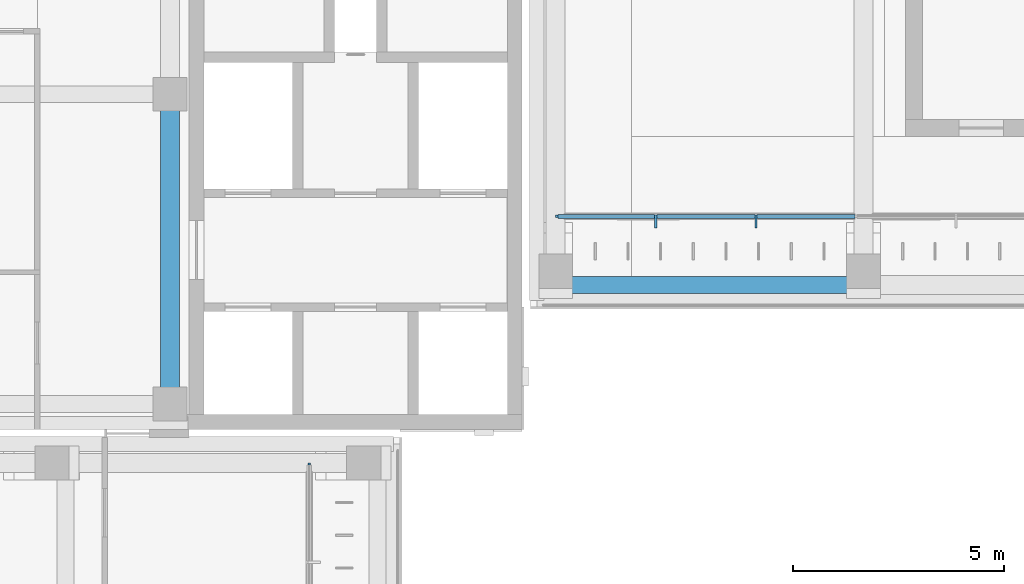
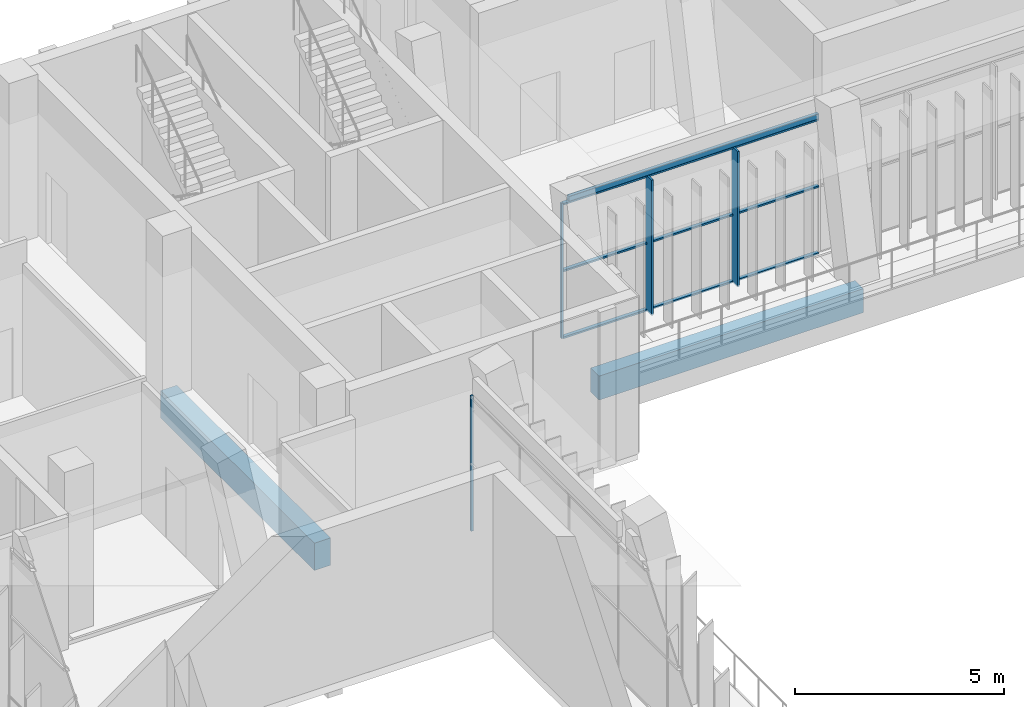
# One storey, part 30 of 89: 13 members, 3 beams, 2 elements without a shape of their own.
"""IFC4 building model written with IfcOpenShell, lengths in metres."""

from ifc_helpers import new_model, si_unit, direction, frame, origin, origin_2d, place, context, subcontext, project, spatial, rectangle, hollow_rectangle, extrude, material, material_profile, profile_set, type_object, element, aggregate, save


model = new_model("IFC4")

# Units and contexts
model_context = context("Model", 3, precision=1e-05, world=origin(), true_north=direction((0.0, 1.0)))
body_context = subcontext(model_context, "Body", "Model", "MODEL_VIEW")
ifc_project = project(units=[si_unit("LENGTHUNIT", "METRE"), si_unit("AREAUNIT", "SQUARE_METRE"), si_unit("VOLUMEUNIT", "CUBIC_METRE"), si_unit("PLANEANGLEUNIT", "RADIAN"), si_unit("MASSUNIT", "GRAM", prefix="KILO")], contexts=[model_context])

# Site, building, storey
site_placement = place(None, origin())
site = spatial("IfcSite", under=ifc_project, at=site_placement, CompositionType="ELEMENT")
building_placement = place(site_placement, origin())
building = spatial("IfcBuilding", under=site, at=building_placement, Name="Lantern Court Media Centre", CompositionType="ELEMENT")
storey_placement = place(building_placement, frame((0.0, 0.0, 14.39990234375)))
storey = spatial("IfcBuildingStorey", under=building, at=storey_placement, Name="L03", CompositionType="ELEMENT", Elevation=14.39990234375)

# Curtain wall, members
ifc_material_1 = material(Name="Curtain wall bay 2400")
curtain_wall_type = type_object("IfcCurtainWallType", Name="Curtain wall bay 2400", PredefinedType="NOTDEFINED", material=ifc_material_1)
curtain_wall_1_placement = place(storey_placement, origin())
curtain_wall_1 = element("IfcCurtainWall", 1, at=curtain_wall_1_placement, inside=storey, type_object=curtain_wall_type, Name="Curtain wall N inner L03", PredefinedType="NOTDEFINED")
ifc_material_2 = material(Name="Anodised aluminium", Category="aluminium")
ifc_material_profile_1 = material_profile(ifc_material_2, rectangle(XDim=0.300048828125, YDim=0.050048828125, at=origin_2d()), Name="AL 50x300")
ifc_profile_set_1 = profile_set([ifc_material_profile_1], Name="Anodised aluminium")
member_type_1 = type_object("IfcMemberType", Name="Curtain wall mullion 50x300", PredefinedType="MULLION", material=ifc_profile_set_1)
member_1_placement = place(storey_placement, frame((27.073974609375, 101.030029296875, 0.0), z_axis=(0.0, 0.0, 1.0), x_axis=(0.0, 1.0, 0.0)))
member_1 = element("IfcMember", 2, at=member_1_placement, type_object=member_type_1, Name="CW2 mullion 2", PredefinedType="MULLION", context=body_context, shape_type="SweptSolid", body=[
    extrude(rectangle(XDim=0.300048828125, YDim=0.050048828125, at=origin_2d()), origin(), (0.0, 0.0, 1.0), 3.9501953125),
])
member_2_placement = place(storey_placement, frame((29.44775390625, 101.030029296875, 0.0), z_axis=(0.0, 0.0, 1.0), x_axis=(0.0, 1.0, 0.0)))
member_2 = element("IfcMember", 3, at=member_2_placement, type_object=member_type_1, Name="CW2 mullion 3", PredefinedType="MULLION", context=body_context, shape_type="SweptSolid", body=[
    extrude(rectangle(XDim=0.300048828125, YDim=0.050048828125, at=origin_2d()), origin(), (0.0, 0.0, 1.0), 3.9501953125),
])
ifc_material_profile_2 = material_profile(ifc_material_2, rectangle(XDim=0.06005859375, YDim=0.050048828125, at=origin_2d()), Name="AL 50x60")
ifc_profile_set_2 = profile_set([ifc_material_profile_2], Name="Anodised aluminium")
member_type_2 = type_object("IfcMemberType", Name="Curtain wall mullion 50x60", PredefinedType="MULLION", material=ifc_profile_set_2)
member_3_placement = place(storey_placement, frame((24.72509765625, 101.14990234375, 0.0), z_axis=(0.0, 0.0, 1.0), x_axis=(0.0, 1.0, 0.0)))
member_3 = element("IfcMember", 4, at=member_3_placement, type_object=member_type_2, Name="CW2 mullion 1", PredefinedType="MULLION", context=body_context, shape_type="SweptSolid", body=[
    extrude(rectangle(XDim=0.06005859375, YDim=0.050048828125, at=origin_2d()), origin(), (0.0, 0.0, 1.0), 3.9501953125),
])

# Curtain wall, member
curtain_wall_2_placement = place(storey_placement, origin())
curtain_wall_2 = element("IfcCurtainWall", 5, at=curtain_wall_2_placement, inside=storey, type_object=curtain_wall_type, Name="Curtain wall W inner L03", PredefinedType="NOTDEFINED")
member_4_placement = place(storey_placement, frame((18.85009765625, 95.27490234375, 0.0), z_axis=(0.0, 0.0, 1.0), x_axis=(-1.0, 0.0, 0.0)))
member_4 = element("IfcMember", 6, at=member_4_placement, type_object=member_type_2, Name="CW2 mullion 14", PredefinedType="MULLION", context=body_context, shape_type="SweptSolid", body=[
    extrude(rectangle(XDim=0.06005859375, YDim=0.050048828125, at=origin_2d()), origin(), (0.0, 0.0, 1.0), 3.9501953125),
])
aggregate(curtain_wall_2, [member_4])

# Member
ifc_material_profile_3 = material_profile(ifc_material_2, rectangle(XDim=0.10009765625, YDim=0.050048828125, at=origin_2d()), Name="AL 50x100")
ifc_profile_set_3 = profile_set([ifc_material_profile_3], Name="Anodised aluminium")
member_type_3 = type_object("IfcMemberType", Name="Curtain wall transom 100x50", PredefinedType="USERDEFINED", material=ifc_profile_set_3)
member_5_placement = place(storey_placement, frame((24.75, 101.14990234375, 0.025146484375), z_axis=(1.0, 0.0, 0.0), x_axis=(0.0, 1.0, 0.0)))
member_5 = element("IfcMember", 7, at=member_5_placement, type_object=member_type_3, Name="CW2 transom 1.1", ObjectType="TRANSOM", PredefinedType="USERDEFINED", context=body_context, shape_type="SweptSolid", body=[
    extrude(rectangle(XDim=0.10009765625, YDim=0.050048828125, at=origin_2d()), origin(), (0.0, 0.0, 1.0), 2.298828125),
])

member_6_placement = place(storey_placement, frame((24.75, 101.14990234375, 1.97509765625), z_axis=(1.0, 0.0, 0.0), x_axis=(0.0, 1.0, 0.0)))
member_6 = element("IfcMember", 8, at=member_6_placement, type_object=member_type_3, Name="CW2 transom 1.2", ObjectType="TRANSOM", PredefinedType="USERDEFINED", context=body_context, shape_type="SweptSolid", body=[
    extrude(rectangle(XDim=0.10009765625, YDim=0.050048828125, at=origin_2d()), origin(), (0.0, 0.0, 1.0), 2.298828125),
])

member_7_placement = place(storey_placement, frame((24.75, 101.14990234375, 3.925048828125), z_axis=(1.0, 0.0, 0.0), x_axis=(0.0, 1.0, 0.0)))
member_7 = element("IfcMember", 9, at=member_7_placement, type_object=member_type_3, Name="CW2 transom 1.3", ObjectType="TRANSOM", PredefinedType="USERDEFINED", context=body_context, shape_type="SweptSolid", body=[
    extrude(rectangle(XDim=0.10009765625, YDim=0.050048828125, at=origin_2d()), origin(), (0.0, 0.0, 1.0), 2.298828125),
])

member_8_placement = place(storey_placement, frame((27.098876953125, 101.14990234375, 0.025146484375), z_axis=(1.0, 0.0, 0.0), x_axis=(0.0, 1.0, 0.0)))
member_8 = element("IfcMember", 10, at=member_8_placement, type_object=member_type_3, Name="CW2 transom 2.1", ObjectType="TRANSOM", PredefinedType="USERDEFINED", context=body_context, shape_type="SweptSolid", body=[
    extrude(rectangle(XDim=0.10009765625, YDim=0.050048828125, at=origin_2d()), origin(), (0.0, 0.0, 1.0), 2.323974609375),
])

member_9_placement = place(storey_placement, frame((27.098876953125, 101.14990234375, 1.97509765625), z_axis=(1.0, 0.0, 0.0), x_axis=(0.0, 1.0, 0.0)))
member_9 = element("IfcMember", 11, at=member_9_placement, type_object=member_type_3, Name="CW2 transom 2.2", ObjectType="TRANSOM", PredefinedType="USERDEFINED", context=body_context, shape_type="SweptSolid", body=[
    extrude(rectangle(XDim=0.10009765625, YDim=0.050048828125, at=origin_2d()), origin(), (0.0, 0.0, 1.0), 2.323974609375),
])

member_10_placement = place(storey_placement, frame((27.098876953125, 101.14990234375, 3.925048828125), z_axis=(1.0, 0.0, 0.0), x_axis=(0.0, 1.0, 0.0)))
member_10 = element("IfcMember", 12, at=member_10_placement, type_object=member_type_3, Name="CW2 transom 2.3", ObjectType="TRANSOM", PredefinedType="USERDEFINED", context=body_context, shape_type="SweptSolid", body=[
    extrude(rectangle(XDim=0.10009765625, YDim=0.050048828125, at=origin_2d()), origin(), (0.0, 0.0, 1.0), 2.323974609375),
])

member_11_placement = place(storey_placement, frame((29.472900390625, 101.14990234375, 0.025146484375), z_axis=(1.0, 0.0, 0.0), x_axis=(0.0, 1.0, 0.0)))
member_11 = element("IfcMember", 13, at=member_11_placement, type_object=member_type_3, Name="CW2 transom 3.1", ObjectType="TRANSOM", PredefinedType="USERDEFINED", context=body_context, shape_type="SweptSolid", body=[
    extrude(rectangle(XDim=0.10009765625, YDim=0.050048828125, at=origin_2d()), origin(), (0.0, 0.0, 1.0), 2.32373046875),
])

member_12_placement = place(storey_placement, frame((29.472900390625, 101.14990234375, 1.97509765625), z_axis=(1.0, 0.0, 0.0), x_axis=(0.0, 1.0, 0.0)))
member_12 = element("IfcMember", 14, at=member_12_placement, type_object=member_type_3, Name="CW2 transom 3.2", ObjectType="TRANSOM", PredefinedType="USERDEFINED", context=body_context, shape_type="SweptSolid", body=[
    extrude(rectangle(XDim=0.10009765625, YDim=0.050048828125, at=origin_2d()), origin(), (0.0, 0.0, 1.0), 2.32373046875),
])

member_13_placement = place(storey_placement, frame((29.472900390625, 101.14990234375, 3.925048828125), z_axis=(1.0, 0.0, 0.0), x_axis=(0.0, 1.0, 0.0)))
member_13 = element("IfcMember", 15, at=member_13_placement, type_object=member_type_3, Name="CW2 transom 3.3", ObjectType="TRANSOM", PredefinedType="USERDEFINED", context=body_context, shape_type="SweptSolid", body=[
    extrude(rectangle(XDim=0.10009765625, YDim=0.050048828125, at=origin_2d()), origin(), (0.0, 0.0, 1.0), 2.32373046875),
])

aggregate(curtain_wall_1, [member_3, member_1, member_2, member_5, member_6, member_7, member_8, member_9, member_10, member_11, member_12, member_13])

# Beams
ifc_material_3 = material(Name="Steel S355J2 (EN 10025-2)", Category="steel")
ifc_material_profile_4 = material_profile(ifc_material_3, hollow_rectangle(XDim=0.10009765625, YDim=0.14990234375, WallThickness=0.00634765625, InnerFilletRadius=0.00634765625, OuterFilletRadius=0.009521484375, at=origin_2d()), Name="Facade head lintel RHS 150x100x6.3")
ifc_profile_set_4 = profile_set([ifc_material_profile_4], Name="Steel S355J2 (EN 10025-2)")
beam_type_1 = type_object("IfcBeamType", Name="Facade head lintel RHS 150x100x6.3", PredefinedType="BEAM", material=ifc_profile_set_4)
beam_1_placement = place(storey_placement, frame((24.89990234375, 101.14990234375, 4.025146484375), z_axis=(1.0, 0.0, 0.0), x_axis=(0.0, 1.0, 0.0)))
element("IfcBeam", 16, at=beam_1_placement, inside=storey, type_object=beam_type_1, Name="Facade head lintel N L03", PredefinedType="BEAM", context=body_context, shape_type="SweptSolid", body=[
    extrude(hollow_rectangle(XDim=0.10009765625, YDim=0.14990234375, WallThickness=0.00634765625, InnerFilletRadius=0.00634765625, OuterFilletRadius=0.009521484375, at=origin_2d()), origin(), (0.0, 0.0, 1.0), 6.900146484375),
])
ifc_material_4 = material(Name="Concrete C35", Category="concrete")
ifc_material_profile_5 = material_profile(ifc_material_4, rectangle(XDim=0.39990234375, YDim=0.699951171875, at=origin_2d()), Name="RC 400x700")
ifc_profile_set_5 = profile_set([ifc_material_profile_5], Name="Concrete C35")
beam_type_2 = type_object("IfcBeamType", Name="RC BEAM 400x700", PredefinedType="BEAM", material=ifc_profile_set_5)
beam_2_placement = place(storey_placement, frame((24.699951171875, 99.527099609375, -0.349853515625), z_axis=(1.0, 0.0, 0.0), x_axis=(0.0, 1.0, 0.0)))
element("IfcBeam", 17, at=beam_2_placement, inside=storey, type_object=beam_type_2, Name="LB-N-L03-0-0", PredefinedType="BEAM", context=body_context, shape_type="SweptSolid", body=[
    extrude(rectangle(XDim=0.39990234375, YDim=0.699951171875, at=origin_2d()), origin(), (0.0, 0.0, 1.0), 7.300048828125),
])
ifc_material_profile_6 = material_profile(ifc_material_4, rectangle(XDim=0.449951171875, YDim=0.800048828125, at=origin_2d()), Name="RC 450x800")
ifc_profile_set_6 = profile_set([ifc_material_profile_6], Name="Concrete C35")
beam_type_3 = type_object("IfcBeamType", Name="RC BEAM 450x800", PredefinedType="BEAM", material=ifc_profile_set_6)
beam_3_placement = place(storey_placement, frame((15.550048828125, 96.699951171875, -0.39990234375), z_axis=(0.0, 1.0, 0.0), x_axis=(-1.0, 0.0, 0.0)))
element("IfcBeam", 18, at=beam_3_placement, inside=storey, type_object=beam_type_3, Name="BB-NW-L03-X0-15", PredefinedType="BEAM", context=body_context, shape_type="SweptSolid", body=[
    extrude(rectangle(XDim=0.449951171875, YDim=0.800048828125, at=origin_2d()), origin(), (0.0, 0.0, 1.0), 7.35009765625),
])

save(model, "model.ifc")
